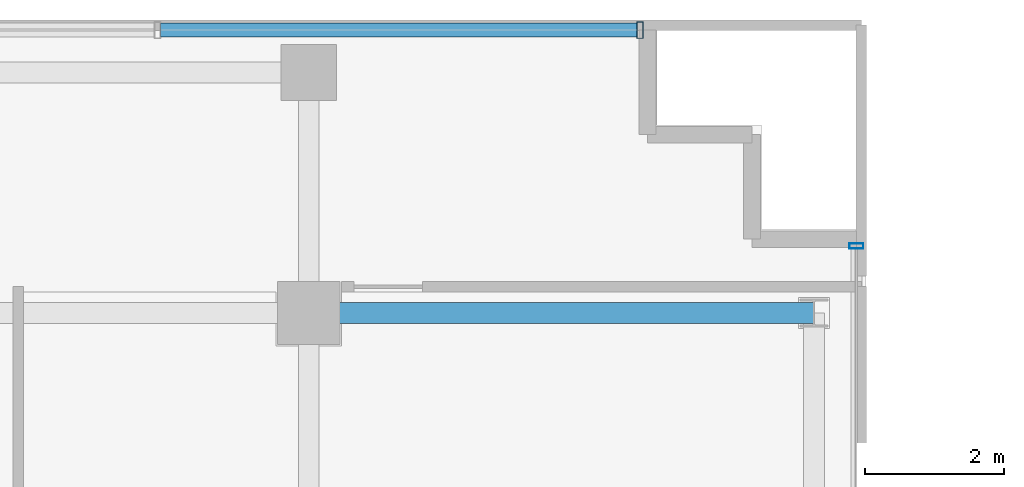
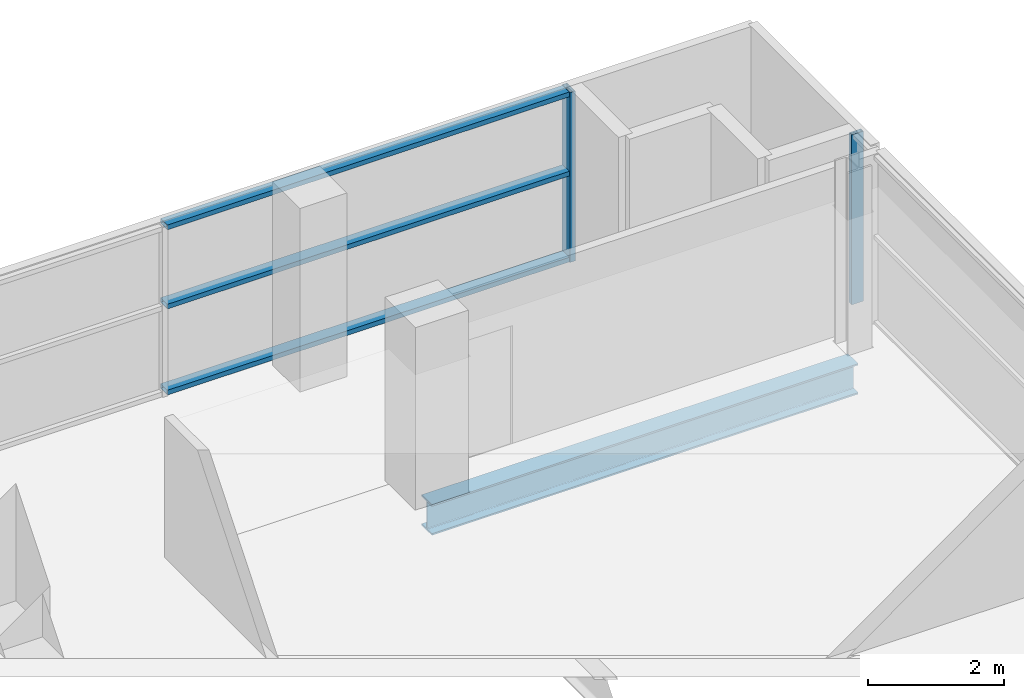
# One storey, part 15 of 25: 5 members, 1 beam, 2 elements without a shape of their own.
"""IFC4 building model written with IfcOpenShell, lengths in metres."""

from ifc_helpers import new_model, si_unit, direction, frame, origin, origin_2d, place, context, subcontext, project, spatial, hollow_rectangle, i_section, extrude, source, transform, mapped, material, layer, layer_set, material_profile, profile_set, type_object, element, aggregate, save


model = new_model("IFC4")

# Units and contexts
model_context = context("Model", 3, precision=1e-05, world=origin(), true_north=direction((0.0, 1.0)))
body_context = subcontext(model_context, "Body", "Model", "MODEL_VIEW")
ifc_project = project(units=[si_unit("LENGTHUNIT", "METRE"), si_unit("AREAUNIT", "SQUARE_METRE"), si_unit("VOLUMEUNIT", "CUBIC_METRE"), si_unit("PLANEANGLEUNIT", "RADIAN"), si_unit("MASSUNIT", "GRAM", prefix="KILO")], contexts=[model_context])

# Site, building, storey
site_placement = place(None, origin())
site = spatial("IfcSite", under=ifc_project, at=site_placement, CompositionType="ELEMENT")
building_placement = place(site_placement, origin())
building = spatial("IfcBuilding", under=site, at=building_placement, Name="Zarnakvel Exchange Tower", CompositionType="ELEMENT")
storey_placement = place(building_placement, frame((0.0, 0.0, 126.39990234375)))
storey = spatial("IfcBuildingStorey", under=building, at=storey_placement, Name="L35", CompositionType="ELEMENT", Elevation=126.39990234375)

# Beam
ifc_material_1 = material(Name="Steel S355", Category="steel")
ifc_material_profile_1 = material_profile(ifc_material_1, i_section(OverallWidth=0.300048828125, OverallDepth=0.550048828125, WebThickness=0.014892578125, FlangeThickness=0.029052734375, FilletRadius=0.027099609375, at=origin_2d()))
ifc_profile_set_1 = profile_set([ifc_material_profile_1], Name="Steel S355")
beam_type = type_object("IfcBeamType", Name="G-05", PredefinedType="BEAM", material=ifc_profile_set_1)
beam_placement = place(storey_placement, frame((21.60009765625, 13.5, -0.5), z_axis=(1.0, 0.0, 0.0), x_axis=(0.0, 1.0, 0.0)))
element("IfcBeam", 1, at=beam_placement, inside=storey, type_object=beam_type, Name="L35 Tower E-W Frame Beam", PredefinedType="BEAM", context=body_context, shape_type="SweptSolid", body=[
    extrude(i_section(OverallWidth=0.300048828125, OverallDepth=0.550048828125, WebThickness=0.014892578125, FlangeThickness=0.029052734375, FilletRadius=0.027099609375, at=origin_2d()), origin(), (0.0, 0.0, 1.0), 7.25),
])

# Curtain wall, member
ifc_material_2 = material(Name="Architectural Bronze Anodised Aluminium", Category="aluminium")
ifc_layer_1 = layer(ifc_material_2, 0.239990234375)
ifc_layer_set_1 = layer_set([ifc_layer_1], Name="Architectural Bronze Anodised Aluminium")
curtain_wall_type_1 = type_object("IfcCurtainWallType", Name="CW-02", PredefinedType="NOTDEFINED", material=ifc_layer_set_1)
curtain_wall_1_placement = place(storey_placement, origin())
curtain_wall_1 = element("IfcCurtainWall", 2, at=curtain_wall_1_placement, inside=storey, type_object=curtain_wall_type_1, Name="L35 Curtain Wall CW-L35-N1 (CW-02)", PredefinedType="NOTDEFINED")
ifc_material_profile_2 = material_profile(ifc_material_2, hollow_rectangle(XDim=0.239990234375, YDim=0.090087890625, WallThickness=0.006103515625, at=origin_2d()))
ifc_profile_set_2 = profile_set([ifc_material_profile_2], Name="Architectural Bronze Anodised Aluminium")
member_type_1 = type_object("IfcMemberType", Name="CWM-02", PredefinedType="MULLION", material=ifc_profile_set_2)
shared_shape_1 = source(origin(), body_context, "Body", "SweptSolid", [
    extrude(hollow_rectangle(XDim=0.239990234375, YDim=0.090087890625, WallThickness=0.006103515625, at=origin_2d()), origin(), (0.0, 0.0, 1.0), 3.05517578125),
])
member_1_placement = place(storey_placement, frame((26.35498046875, 17.56005859375, 0.0), z_axis=(0.0, 0.0, 1.0), x_axis=(0.0, 1.0, 0.0)))
member_1 = element("IfcMember", 3, at=member_1_placement, type_object=member_type_1, Name="CW-02 mullion 8", PredefinedType="MULLION", context=body_context, shape_type="MappedRepresentation", body=[
    mapped(shared_shape_1, transform((0.0, 0.0, 0.0), x_axis=(1.0, 0.0, 0.0), y_axis=(0.0, 1.0, 0.0), z_axis=(0.0, 0.0, 1.0), scale=1.0)),
])

ifc_layer_2 = layer(ifc_material_2, 0.199951171875)
ifc_layer_set_2 = layer_set([ifc_layer_2], Name="Architectural Bronze Anodised Aluminium")
curtain_wall_type_2 = type_object("IfcCurtainWallType", Name="CW-04", PredefinedType="NOTDEFINED", material=ifc_layer_set_2)
curtain_wall_2_placement = place(storey_placement, origin())
curtain_wall_2 = element("IfcCurtainWall", 4, at=curtain_wall_2_placement, inside=storey, type_object=curtain_wall_type_2, Name="L35 Curtain Wall CW-L35-EN (CW-04)", PredefinedType="NOTDEFINED")
ifc_material_profile_3 = material_profile(ifc_material_2, hollow_rectangle(XDim=0.199951171875, YDim=0.074951171875, WallThickness=0.0048828125, at=origin_2d()))
ifc_profile_set_3 = profile_set([ifc_material_profile_3], Name="Architectural Bronze Anodised Aluminium")
member_type_2 = type_object("IfcMemberType", Name="CWM-04", PredefinedType="MULLION", material=ifc_profile_set_3)
shared_shape_2 = source(origin(), body_context, "Body", "SweptSolid", [
    extrude(hollow_rectangle(XDim=0.199951171875, YDim=0.074951171875, WallThickness=0.0048828125, at=origin_2d()), origin(), (0.0, 0.0, 1.0), 3.05517578125),
])
member_2_placement = place(storey_placement, frame((29.4599609375, 14.46240234375, 0.0), z_axis=(0.0, 0.0, 1.0), x_axis=(-1.0, 0.0, 0.0)))
member_2 = element("IfcMember", 5, at=member_2_placement, type_object=member_type_2, Name="CW-04 mullion 3", PredefinedType="MULLION", context=body_context, shape_type="MappedRepresentation", body=[
    mapped(shared_shape_2, transform((0.0, 0.0, 0.0), x_axis=(1.0, 0.0, 0.0), y_axis=(0.0, 1.0, 0.0), z_axis=(0.0, 0.0, 1.0), scale=1.0)),
])
aggregate(curtain_wall_2, [member_2])

# Member
ifc_material_profile_4 = material_profile(ifc_material_2, hollow_rectangle(XDim=0.199951171875, YDim=0.0849609375, WallThickness=0.0048828125, at=origin_2d()))
ifc_profile_set_4 = profile_set([ifc_material_profile_4], Name="Architectural Bronze Anodised Aluminium")
member_type_3 = type_object("IfcMemberType", Name="CWT-02", PredefinedType="USERDEFINED", material=ifc_profile_set_4)
shared_shape_3 = source(origin(), body_context, "Body", "SweptSolid", [
    extrude(hollow_rectangle(XDim=0.199951171875, YDim=0.0849609375, WallThickness=0.0048828125, at=origin_2d()), origin(), (0.0, 0.0, 1.0), 6.83642578125),
])
member_3_placement = place(storey_placement, frame((19.4736328125, 17.56005859375, 0.04248046875), z_axis=(1.0, 0.0, 0.0), x_axis=(0.0, 1.0, 0.0)))
member_3 = element("IfcMember", 6, at=member_3_placement, type_object=member_type_3, Name="CW-02 transom 7.1", ObjectType="TRANSOM", PredefinedType="USERDEFINED", context=body_context, shape_type="MappedRepresentation", body=[
    mapped(shared_shape_3, transform((0.0, 0.0, 0.0), x_axis=(1.0, 0.0, 0.0), y_axis=(0.0, 1.0, 0.0), z_axis=(0.0, 0.0, 1.0), scale=1.0)),
])

member_4_placement = place(storey_placement, frame((19.4736328125, 17.56005859375, 1.588623046875), z_axis=(1.0, 0.0, 0.0), x_axis=(0.0, 1.0, 0.0)))
member_4 = element("IfcMember", 7, at=member_4_placement, type_object=member_type_3, Name="CW-02 transom 7.2", ObjectType="TRANSOM", PredefinedType="USERDEFINED", context=body_context, shape_type="MappedRepresentation", body=[
    mapped(shared_shape_3, transform((0.0, 0.0, 0.0), x_axis=(1.0, 0.0, 0.0), y_axis=(0.0, 1.0, 0.0), z_axis=(0.0, 0.0, 1.0), scale=1.0)),
])

member_5_placement = place(storey_placement, frame((19.4736328125, 17.56005859375, 3.0126953125), z_axis=(1.0, 0.0, 0.0), x_axis=(0.0, 1.0, 0.0)))
member_5 = element("IfcMember", 8, at=member_5_placement, type_object=member_type_3, Name="CW-02 transom 7.3", ObjectType="TRANSOM", PredefinedType="USERDEFINED", context=body_context, shape_type="MappedRepresentation", body=[
    mapped(shared_shape_3, transform((0.0, 0.0, 0.0), x_axis=(1.0, 0.0, 0.0), y_axis=(0.0, 1.0, 0.0), z_axis=(0.0, 0.0, 1.0), scale=1.0)),
])

aggregate(curtain_wall_1, [member_1, member_3, member_4, member_5])

save(model, "model.ifc")
